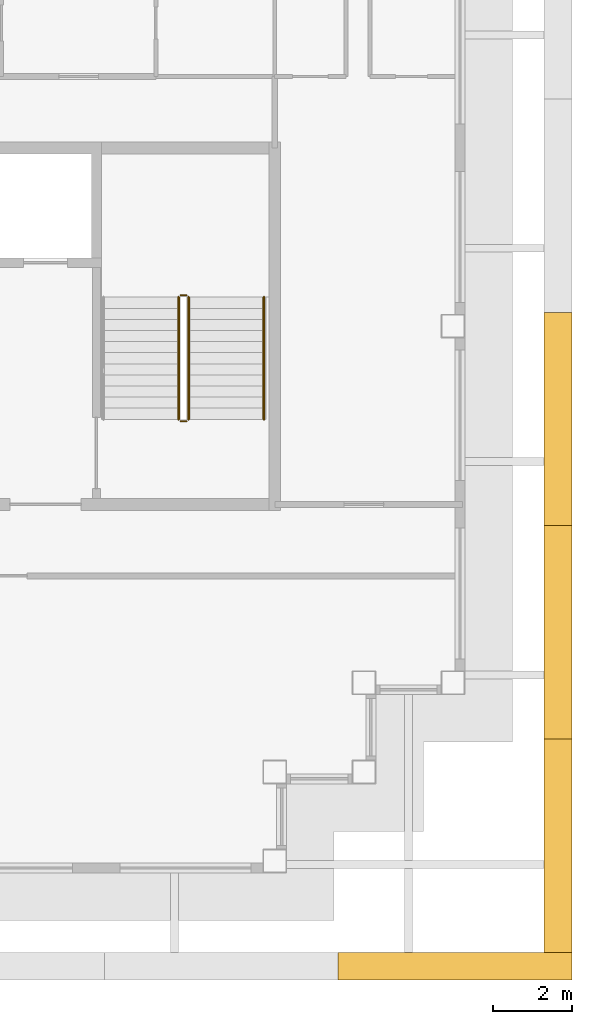
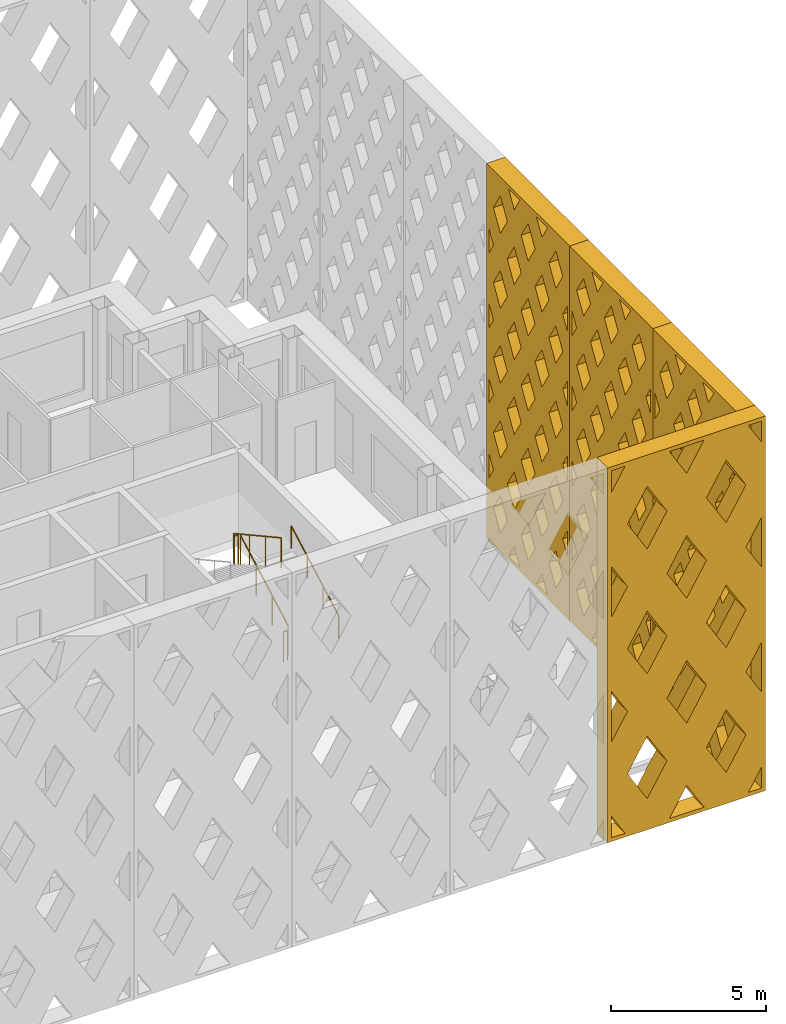
# One storey, part 13 of 15: 5 railings, 4 shading devices.
"""IFC4 building model written with IfcOpenShell, lengths in metres."""

from ifc_helpers import new_model, si_unit, direction, frame, origin, origin_2d, place, context, subcontext, project, spatial, polyline, circle, outline, extrude, material, type_object, element, save


model = new_model("IFC4")

# Units and contexts
model_context = context("Model", 3, precision=1e-05, world=origin(), true_north=direction((0.0, 1.0)))
body_context = subcontext(model_context, "Body", "Model", "MODEL_VIEW")
ifc_project = project(units=[si_unit("LENGTHUNIT", "METRE"), si_unit("AREAUNIT", "SQUARE_METRE"), si_unit("VOLUMEUNIT", "CUBIC_METRE"), si_unit("PLANEANGLEUNIT", "RADIAN"), si_unit("MASSUNIT", "GRAM", prefix="KILO")], contexts=[model_context])

# Site, building, storey
site_placement = place(None, origin())
site = spatial("IfcSite", under=ifc_project, at=site_placement, CompositionType="ELEMENT")
building_placement = place(site_placement, origin())
building = spatial("IfcBuilding", under=site, at=building_placement, Name="Caravel Reach Hotel and Residences", CompositionType="ELEMENT")
storey_placement = place(building_placement, frame((0.0, 0.0, 237.89990234375)))
storey = spatial("IfcBuildingStorey", under=building, at=storey_placement, Name="L60", CompositionType="ELEMENT", Elevation=237.89990234375)

# Shading devices
ifc_material_1 = material(Name="Black powder-coated aluminium", Category="aluminium")
shading_device_type_1 = type_object("IfcShadingDeviceType", Name="Diamond lattice screen panel 5383 x 14800", PredefinedType="USERDEFINED", material=ifc_material_1)
shading_device_1_placement = place(storey_placement, frame((51.800048828125, 11.199951171875, 0.0), z_axis=(1.0, 0.0, 0.0), x_axis=(0.0, 1.0, 0.0)))
element("IfcShadingDevice", 1, at=shading_device_1_placement, inside=storey, type_object=shading_device_type_1, Name="Lattice screen L60-L63 4.1", ObjectType="SCREEN", PredefinedType="USERDEFINED", context=body_context, shape_type="SweptSolid", body=[
    extrude(outline(polyline([(0.0, 0.0), (5.38330078125, 0.0), (5.38330078125, 14.800048828125), (0.0, 14.800048828125), (0.0, 0.0)]), holes=[polyline([(0.451416015625, 2.9599609375), (0.14990234375, 3.457275390625), (0.14990234375, 2.462646484375), (0.451416015625, 2.9599609375)]), polyline([(0.451416015625, 5.919921875), (0.14990234375, 6.41748046875), (0.14990234375, 5.422607421875), (0.451416015625, 5.919921875)]), polyline([(0.451416015625, 8.8798828125), (0.14990234375, 9.37744140625), (0.14990234375, 8.382568359375), (0.451416015625, 8.8798828125)]), polyline([(0.451416015625, 11.840087890625), (0.14990234375, 12.33740234375), (0.14990234375, 11.342529296875), (0.451416015625, 11.840087890625)]), polyline([(0.897216796875, 2.224853515625), (0.44580078125, 1.47998046875), (0.897216796875, 0.735107421875), (1.348876953125, 1.47998046875), (0.897216796875, 2.224853515625)]), polyline([(0.897216796875, 5.184814453125), (0.44580078125, 4.43994140625), (0.897216796875, 3.695068359375), (1.348876953125, 4.43994140625), (0.897216796875, 5.184814453125)]), polyline([(0.897216796875, 8.144775390625), (0.44580078125, 7.39990234375), (0.897216796875, 6.6552734375), (1.348876953125, 7.39990234375), (0.897216796875, 8.144775390625)]), polyline([(0.897216796875, 11.104736328125), (0.44580078125, 10.360107421875), (0.897216796875, 9.615234375), (1.348876953125, 10.360107421875), (0.897216796875, 11.104736328125)]), polyline([(0.897216796875, 14.06494140625), (0.44580078125, 13.320068359375), (0.897216796875, 12.5751953125), (1.348876953125, 13.320068359375), (0.897216796875, 14.06494140625)]), polyline([(1.79443359375, 0.744873046875), (1.433837890625, 0.14990234375), (2.155029296875, 0.14990234375), (1.79443359375, 0.744873046875)]), polyline([(1.79443359375, 3.704833984375), (1.343017578125, 2.9599609375), (1.79443359375, 2.215087890625), (2.24609375, 2.9599609375), (1.79443359375, 3.704833984375)]), polyline([(1.79443359375, 6.664794921875), (1.343017578125, 5.919921875), (1.79443359375, 5.17529296875), (2.24609375, 5.919921875), (1.79443359375, 6.664794921875)]), polyline([(1.79443359375, 9.624755859375), (1.343017578125, 8.8798828125), (1.79443359375, 8.13525390625), (2.24609375, 8.8798828125), (1.79443359375, 9.624755859375)]), polyline([(1.79443359375, 12.584716796875), (1.343017578125, 11.840087890625), (1.79443359375, 11.09521484375), (2.24609375, 11.840087890625), (1.79443359375, 12.584716796875)]), polyline([(1.79443359375, 14.05517578125), (2.155029296875, 14.64990234375), (1.433837890625, 14.64990234375), (1.79443359375, 14.05517578125)]), polyline([(2.691650390625, 2.224853515625), (2.240234375, 1.47998046875), (2.691650390625, 0.735107421875), (3.143310546875, 1.47998046875), (2.691650390625, 2.224853515625)]), polyline([(2.691650390625, 5.184814453125), (2.240234375, 4.43994140625), (2.691650390625, 3.695068359375), (3.143310546875, 4.43994140625), (2.691650390625, 5.184814453125)]), polyline([(2.691650390625, 8.144775390625), (2.240234375, 7.39990234375), (2.691650390625, 6.6552734375), (3.143310546875, 7.39990234375), (2.691650390625, 8.144775390625)]), polyline([(2.691650390625, 11.104736328125), (2.240234375, 10.360107421875), (2.691650390625, 9.615234375), (3.143310546875, 10.360107421875), (2.691650390625, 11.104736328125)]), polyline([(2.691650390625, 14.06494140625), (2.240234375, 13.320068359375), (2.691650390625, 12.5751953125), (3.143310546875, 13.320068359375), (2.691650390625, 14.06494140625)]), polyline([(3.5888671875, 0.744873046875), (3.228271484375, 0.14990234375), (3.949462890625, 0.14990234375), (3.5888671875, 0.744873046875)]), polyline([(3.5888671875, 3.704833984375), (3.137451171875, 2.9599609375), (3.5888671875, 2.215087890625), (4.04052734375, 2.9599609375), (3.5888671875, 3.704833984375)]), polyline([(3.5888671875, 6.664794921875), (3.137451171875, 5.919921875), (3.5888671875, 5.17529296875), (4.04052734375, 5.919921875), (3.5888671875, 6.664794921875)]), polyline([(3.5888671875, 9.624755859375), (3.137451171875, 8.8798828125), (3.5888671875, 8.13525390625), (4.04052734375, 8.8798828125), (3.5888671875, 9.624755859375)]), polyline([(3.5888671875, 12.584716796875), (3.137451171875, 11.840087890625), (3.5888671875, 11.09521484375), (4.04052734375, 11.840087890625), (3.5888671875, 12.584716796875)]), polyline([(3.5888671875, 14.05517578125), (3.949462890625, 14.64990234375), (3.228271484375, 14.64990234375), (3.5888671875, 14.05517578125)]), polyline([(4.486083984375, 2.224853515625), (4.03466796875, 1.47998046875), (4.486083984375, 0.735107421875), (4.937744140625, 1.47998046875), (4.486083984375, 2.224853515625)]), polyline([(4.486083984375, 5.184814453125), (4.03466796875, 4.43994140625), (4.486083984375, 3.695068359375), (4.937744140625, 4.43994140625), (4.486083984375, 5.184814453125)]), polyline([(4.486083984375, 8.144775390625), (4.03466796875, 7.39990234375), (4.486083984375, 6.6552734375), (4.937744140625, 7.39990234375), (4.486083984375, 8.144775390625)]), polyline([(4.486083984375, 11.104736328125), (4.03466796875, 10.360107421875), (4.486083984375, 9.615234375), (4.937744140625, 10.360107421875), (4.486083984375, 11.104736328125)]), polyline([(4.486083984375, 14.06494140625), (4.03466796875, 13.320068359375), (4.486083984375, 12.5751953125), (4.937744140625, 13.320068359375), (4.486083984375, 14.06494140625)]), polyline([(4.931884765625, 2.9599609375), (5.2333984375, 2.462646484375), (5.2333984375, 3.457275390625), (4.931884765625, 2.9599609375)]), polyline([(4.931884765625, 5.919921875), (5.2333984375, 5.422607421875), (5.2333984375, 6.41748046875), (4.931884765625, 5.919921875)]), polyline([(4.931884765625, 8.8798828125), (5.2333984375, 8.382568359375), (5.2333984375, 9.37744140625), (4.931884765625, 8.8798828125)]), polyline([(4.931884765625, 11.840087890625), (5.2333984375, 11.342529296875), (5.2333984375, 12.33740234375), (4.931884765625, 11.840087890625)])]), origin(), (0.0, 0.0, 1.0), 0.699951171875),
])
shading_device_2_placement = place(storey_placement, frame((51.800048828125, 16.583251953125, 0.0), z_axis=(1.0, 0.0, 0.0), x_axis=(0.0, 1.0, 0.0)))
element("IfcShadingDevice", 2, at=shading_device_2_placement, inside=storey, type_object=shading_device_type_1, Name="Lattice screen L60-L63 4.2", ObjectType="SCREEN", PredefinedType="USERDEFINED", context=body_context, shape_type="SweptSolid", body=[
    extrude(outline(polyline([(0.0, 0.0), (5.38330078125, 0.0), (5.38330078125, 14.800048828125), (0.0, 14.800048828125), (0.0, 0.0)]), holes=[polyline([(0.451416015625, 2.9599609375), (0.14990234375, 3.457275390625), (0.14990234375, 2.462646484375), (0.451416015625, 2.9599609375)]), polyline([(0.451416015625, 5.919921875), (0.14990234375, 6.41748046875), (0.14990234375, 5.422607421875), (0.451416015625, 5.919921875)]), polyline([(0.451416015625, 8.8798828125), (0.14990234375, 9.37744140625), (0.14990234375, 8.382568359375), (0.451416015625, 8.8798828125)]), polyline([(0.451416015625, 11.840087890625), (0.14990234375, 12.33740234375), (0.14990234375, 11.342529296875), (0.451416015625, 11.840087890625)]), polyline([(0.897216796875, 2.224853515625), (0.44580078125, 1.47998046875), (0.897216796875, 0.735107421875), (1.348876953125, 1.47998046875), (0.897216796875, 2.224853515625)]), polyline([(0.897216796875, 5.184814453125), (0.44580078125, 4.43994140625), (0.897216796875, 3.695068359375), (1.348876953125, 4.43994140625), (0.897216796875, 5.184814453125)]), polyline([(0.897216796875, 8.144775390625), (0.44580078125, 7.39990234375), (0.897216796875, 6.6552734375), (1.348876953125, 7.39990234375), (0.897216796875, 8.144775390625)]), polyline([(0.897216796875, 11.104736328125), (0.44580078125, 10.360107421875), (0.897216796875, 9.615234375), (1.348876953125, 10.360107421875), (0.897216796875, 11.104736328125)]), polyline([(0.897216796875, 14.06494140625), (0.44580078125, 13.320068359375), (0.897216796875, 12.5751953125), (1.348876953125, 13.320068359375), (0.897216796875, 14.06494140625)]), polyline([(1.79443359375, 0.744873046875), (1.433837890625, 0.14990234375), (2.155029296875, 0.14990234375), (1.79443359375, 0.744873046875)]), polyline([(1.79443359375, 3.704833984375), (1.343017578125, 2.9599609375), (1.79443359375, 2.215087890625), (2.24609375, 2.9599609375), (1.79443359375, 3.704833984375)]), polyline([(1.79443359375, 6.664794921875), (1.343017578125, 5.919921875), (1.79443359375, 5.17529296875), (2.24609375, 5.919921875), (1.79443359375, 6.664794921875)]), polyline([(1.79443359375, 9.624755859375), (1.343017578125, 8.8798828125), (1.79443359375, 8.13525390625), (2.24609375, 8.8798828125), (1.79443359375, 9.624755859375)]), polyline([(1.79443359375, 12.584716796875), (1.343017578125, 11.840087890625), (1.79443359375, 11.09521484375), (2.24609375, 11.840087890625), (1.79443359375, 12.584716796875)]), polyline([(1.79443359375, 14.05517578125), (2.155029296875, 14.64990234375), (1.433837890625, 14.64990234375), (1.79443359375, 14.05517578125)]), polyline([(2.691650390625, 2.224853515625), (2.240234375, 1.47998046875), (2.691650390625, 0.735107421875), (3.143310546875, 1.47998046875), (2.691650390625, 2.224853515625)]), polyline([(2.691650390625, 5.184814453125), (2.240234375, 4.43994140625), (2.691650390625, 3.695068359375), (3.143310546875, 4.43994140625), (2.691650390625, 5.184814453125)]), polyline([(2.691650390625, 8.144775390625), (2.240234375, 7.39990234375), (2.691650390625, 6.6552734375), (3.143310546875, 7.39990234375), (2.691650390625, 8.144775390625)]), polyline([(2.691650390625, 11.104736328125), (2.240234375, 10.360107421875), (2.691650390625, 9.615234375), (3.143310546875, 10.360107421875), (2.691650390625, 11.104736328125)]), polyline([(2.691650390625, 14.06494140625), (2.240234375, 13.320068359375), (2.691650390625, 12.5751953125), (3.143310546875, 13.320068359375), (2.691650390625, 14.06494140625)]), polyline([(3.5888671875, 0.744873046875), (3.228271484375, 0.14990234375), (3.949462890625, 0.14990234375), (3.5888671875, 0.744873046875)]), polyline([(3.5888671875, 3.704833984375), (3.137451171875, 2.9599609375), (3.5888671875, 2.215087890625), (4.04052734375, 2.9599609375), (3.5888671875, 3.704833984375)]), polyline([(3.5888671875, 6.664794921875), (3.137451171875, 5.919921875), (3.5888671875, 5.17529296875), (4.04052734375, 5.919921875), (3.5888671875, 6.664794921875)]), polyline([(3.5888671875, 9.624755859375), (3.137451171875, 8.8798828125), (3.5888671875, 8.13525390625), (4.04052734375, 8.8798828125), (3.5888671875, 9.624755859375)]), polyline([(3.5888671875, 12.584716796875), (3.137451171875, 11.840087890625), (3.5888671875, 11.09521484375), (4.04052734375, 11.840087890625), (3.5888671875, 12.584716796875)]), polyline([(3.5888671875, 14.05517578125), (3.949462890625, 14.64990234375), (3.228271484375, 14.64990234375), (3.5888671875, 14.05517578125)]), polyline([(4.486083984375, 2.224853515625), (4.03466796875, 1.47998046875), (4.486083984375, 0.735107421875), (4.937744140625, 1.47998046875), (4.486083984375, 2.224853515625)]), polyline([(4.486083984375, 5.184814453125), (4.03466796875, 4.43994140625), (4.486083984375, 3.695068359375), (4.937744140625, 4.43994140625), (4.486083984375, 5.184814453125)]), polyline([(4.486083984375, 8.144775390625), (4.03466796875, 7.39990234375), (4.486083984375, 6.6552734375), (4.937744140625, 7.39990234375), (4.486083984375, 8.144775390625)]), polyline([(4.486083984375, 11.104736328125), (4.03466796875, 10.360107421875), (4.486083984375, 9.615234375), (4.937744140625, 10.360107421875), (4.486083984375, 11.104736328125)]), polyline([(4.486083984375, 14.06494140625), (4.03466796875, 13.320068359375), (4.486083984375, 12.5751953125), (4.937744140625, 13.320068359375), (4.486083984375, 14.06494140625)]), polyline([(4.931884765625, 2.9599609375), (5.2333984375, 2.462646484375), (5.2333984375, 3.457275390625), (4.931884765625, 2.9599609375)]), polyline([(4.931884765625, 5.919921875), (5.2333984375, 5.422607421875), (5.2333984375, 6.41748046875), (4.931884765625, 5.919921875)]), polyline([(4.931884765625, 8.8798828125), (5.2333984375, 8.382568359375), (5.2333984375, 9.37744140625), (4.931884765625, 8.8798828125)]), polyline([(4.931884765625, 11.840087890625), (5.2333984375, 11.342529296875), (5.2333984375, 12.33740234375), (4.931884765625, 11.840087890625)])]), origin(), (0.0, 0.0, 1.0), 0.699951171875),
])
shading_device_3_placement = place(storey_placement, frame((51.800048828125, 21.966552734375, 0.0), z_axis=(1.0, 0.0, 0.0), x_axis=(0.0, 1.0, 0.0)))
element("IfcShadingDevice", 3, at=shading_device_3_placement, inside=storey, type_object=shading_device_type_1, Name="Lattice screen L60-L63 4.3", ObjectType="SCREEN", PredefinedType="USERDEFINED", context=body_context, shape_type="SweptSolid", body=[
    extrude(outline(polyline([(0.0, 0.0), (5.38330078125, 0.0), (5.38330078125, 14.800048828125), (0.0, 14.800048828125), (0.0, 0.0)]), holes=[polyline([(0.451416015625, 2.9599609375), (0.14990234375, 3.457275390625), (0.14990234375, 2.462646484375), (0.451416015625, 2.9599609375)]), polyline([(0.451416015625, 5.919921875), (0.14990234375, 6.41748046875), (0.14990234375, 5.422607421875), (0.451416015625, 5.919921875)]), polyline([(0.451416015625, 8.8798828125), (0.14990234375, 9.37744140625), (0.14990234375, 8.382568359375), (0.451416015625, 8.8798828125)]), polyline([(0.451416015625, 11.840087890625), (0.14990234375, 12.33740234375), (0.14990234375, 11.342529296875), (0.451416015625, 11.840087890625)]), polyline([(0.897216796875, 2.224853515625), (0.44580078125, 1.47998046875), (0.897216796875, 0.735107421875), (1.348876953125, 1.47998046875), (0.897216796875, 2.224853515625)]), polyline([(0.897216796875, 5.184814453125), (0.44580078125, 4.43994140625), (0.897216796875, 3.695068359375), (1.348876953125, 4.43994140625), (0.897216796875, 5.184814453125)]), polyline([(0.897216796875, 8.144775390625), (0.44580078125, 7.39990234375), (0.897216796875, 6.6552734375), (1.348876953125, 7.39990234375), (0.897216796875, 8.144775390625)]), polyline([(0.897216796875, 11.104736328125), (0.44580078125, 10.360107421875), (0.897216796875, 9.615234375), (1.348876953125, 10.360107421875), (0.897216796875, 11.104736328125)]), polyline([(0.897216796875, 14.06494140625), (0.44580078125, 13.320068359375), (0.897216796875, 12.5751953125), (1.348876953125, 13.320068359375), (0.897216796875, 14.06494140625)]), polyline([(1.79443359375, 0.744873046875), (1.433837890625, 0.14990234375), (2.155029296875, 0.14990234375), (1.79443359375, 0.744873046875)]), polyline([(1.79443359375, 3.704833984375), (1.343017578125, 2.9599609375), (1.79443359375, 2.215087890625), (2.24609375, 2.9599609375), (1.79443359375, 3.704833984375)]), polyline([(1.79443359375, 6.664794921875), (1.343017578125, 5.919921875), (1.79443359375, 5.17529296875), (2.24609375, 5.919921875), (1.79443359375, 6.664794921875)]), polyline([(1.79443359375, 9.624755859375), (1.343017578125, 8.8798828125), (1.79443359375, 8.13525390625), (2.24609375, 8.8798828125), (1.79443359375, 9.624755859375)]), polyline([(1.79443359375, 12.584716796875), (1.343017578125, 11.840087890625), (1.79443359375, 11.09521484375), (2.24609375, 11.840087890625), (1.79443359375, 12.584716796875)]), polyline([(1.79443359375, 14.05517578125), (2.155029296875, 14.64990234375), (1.433837890625, 14.64990234375), (1.79443359375, 14.05517578125)]), polyline([(2.691650390625, 2.224853515625), (2.240234375, 1.47998046875), (2.691650390625, 0.735107421875), (3.143310546875, 1.47998046875), (2.691650390625, 2.224853515625)]), polyline([(2.691650390625, 5.184814453125), (2.240234375, 4.43994140625), (2.691650390625, 3.695068359375), (3.143310546875, 4.43994140625), (2.691650390625, 5.184814453125)]), polyline([(2.691650390625, 8.144775390625), (2.240234375, 7.39990234375), (2.691650390625, 6.6552734375), (3.143310546875, 7.39990234375), (2.691650390625, 8.144775390625)]), polyline([(2.691650390625, 11.104736328125), (2.240234375, 10.360107421875), (2.691650390625, 9.615234375), (3.143310546875, 10.360107421875), (2.691650390625, 11.104736328125)]), polyline([(2.691650390625, 14.06494140625), (2.240234375, 13.320068359375), (2.691650390625, 12.5751953125), (3.143310546875, 13.320068359375), (2.691650390625, 14.06494140625)]), polyline([(3.5888671875, 0.744873046875), (3.228271484375, 0.14990234375), (3.949462890625, 0.14990234375), (3.5888671875, 0.744873046875)]), polyline([(3.5888671875, 3.704833984375), (3.137451171875, 2.9599609375), (3.5888671875, 2.215087890625), (4.04052734375, 2.9599609375), (3.5888671875, 3.704833984375)]), polyline([(3.5888671875, 6.664794921875), (3.137451171875, 5.919921875), (3.5888671875, 5.17529296875), (4.04052734375, 5.919921875), (3.5888671875, 6.664794921875)]), polyline([(3.5888671875, 9.624755859375), (3.137451171875, 8.8798828125), (3.5888671875, 8.13525390625), (4.04052734375, 8.8798828125), (3.5888671875, 9.624755859375)]), polyline([(3.5888671875, 12.584716796875), (3.137451171875, 11.840087890625), (3.5888671875, 11.09521484375), (4.04052734375, 11.840087890625), (3.5888671875, 12.584716796875)]), polyline([(3.5888671875, 14.05517578125), (3.949462890625, 14.64990234375), (3.228271484375, 14.64990234375), (3.5888671875, 14.05517578125)]), polyline([(4.486083984375, 2.224853515625), (4.03466796875, 1.47998046875), (4.486083984375, 0.735107421875), (4.937744140625, 1.47998046875), (4.486083984375, 2.224853515625)]), polyline([(4.486083984375, 5.184814453125), (4.03466796875, 4.43994140625), (4.486083984375, 3.695068359375), (4.937744140625, 4.43994140625), (4.486083984375, 5.184814453125)]), polyline([(4.486083984375, 8.144775390625), (4.03466796875, 7.39990234375), (4.486083984375, 6.6552734375), (4.937744140625, 7.39990234375), (4.486083984375, 8.144775390625)]), polyline([(4.486083984375, 11.104736328125), (4.03466796875, 10.360107421875), (4.486083984375, 9.615234375), (4.937744140625, 10.360107421875), (4.486083984375, 11.104736328125)]), polyline([(4.486083984375, 14.06494140625), (4.03466796875, 13.320068359375), (4.486083984375, 12.5751953125), (4.937744140625, 13.320068359375), (4.486083984375, 14.06494140625)]), polyline([(4.931884765625, 2.9599609375), (5.2333984375, 2.462646484375), (5.2333984375, 3.457275390625), (4.931884765625, 2.9599609375)]), polyline([(4.931884765625, 5.919921875), (5.2333984375, 5.422607421875), (5.2333984375, 6.41748046875), (4.931884765625, 5.919921875)]), polyline([(4.931884765625, 8.8798828125), (5.2333984375, 8.382568359375), (5.2333984375, 9.37744140625), (4.931884765625, 8.8798828125)]), polyline([(4.931884765625, 11.840087890625), (5.2333984375, 11.342529296875), (5.2333984375, 12.33740234375), (4.931884765625, 11.840087890625)])]), origin(), (0.0, 0.0, 1.0), 0.699951171875),
])
ifc_material_2 = material(Name="Black powder-coated aluminium", Category="aluminium")
shading_device_type_2 = type_object("IfcShadingDeviceType", Name="Diamond lattice screen panel 5900 x 14800", PredefinedType="USERDEFINED", material=ifc_material_2)
shading_device_4_placement = place(storey_placement, frame((46.60009765625, 11.199951171875, 0.0), z_axis=(0.0, -1.0, 0.0), x_axis=(1.0, 0.0, 0.0)))
element("IfcShadingDevice", 4, at=shading_device_4_placement, inside=storey, type_object=shading_device_type_2, Name="Lattice screen L60-L63 3.7", ObjectType="SCREEN", PredefinedType="USERDEFINED", context=body_context, shape_type="SweptSolid", body=[
    extrude(outline(polyline([(0.0, 0.0), (5.89990234375, 0.0), (5.89990234375, 14.800048828125), (0.0, 14.800048828125), (0.0, 0.0)]), holes=[polyline([(0.64990234375, 0.14990234375), (0.14990234375, 0.986083984375), (0.14990234375, 0.14990234375), (0.64990234375, 0.14990234375)]), polyline([(0.739501953125, 4.933349609375), (0.14990234375, 5.91943359375), (0.14990234375, 3.947265625), (0.739501953125, 4.933349609375)]), polyline([(0.739501953125, 9.86669921875), (0.14990234375, 10.852783203125), (0.14990234375, 8.880615234375), (0.739501953125, 9.86669921875)]), polyline([(0.14990234375, 13.81396484375), (0.64990234375, 14.64990234375), (0.14990234375, 14.64990234375), (0.14990234375, 13.81396484375)]), polyline([(1.47509765625, 3.70361328125), (0.7353515625, 2.466552734375), (1.47509765625, 1.229736328125), (2.214599609375, 2.466552734375), (1.47509765625, 3.70361328125)]), polyline([(1.47509765625, 8.636962890625), (0.7353515625, 7.39990234375), (1.47509765625, 6.1630859375), (2.214599609375, 7.39990234375), (1.47509765625, 8.636962890625)]), polyline([(1.47509765625, 13.570068359375), (0.7353515625, 12.333251953125), (1.47509765625, 11.096435546875), (2.214599609375, 12.333251953125), (1.47509765625, 13.570068359375)]), polyline([(2.949951171875, 1.23681640625), (2.300048828125, 0.14990234375), (3.599853515625, 0.14990234375), (2.949951171875, 1.23681640625)]), polyline([(2.949951171875, 6.170166015625), (2.21044921875, 4.933349609375), (2.949951171875, 3.696533203125), (3.689697265625, 4.933349609375), (2.949951171875, 6.170166015625)]), polyline([(2.949951171875, 11.103515625), (2.21044921875, 9.86669921875), (2.949951171875, 8.6298828125), (3.689697265625, 9.86669921875), (2.949951171875, 11.103515625)]), polyline([(2.949951171875, 13.563232421875), (3.599853515625, 14.64990234375), (2.300048828125, 14.64990234375), (2.949951171875, 13.563232421875)]), polyline([(4.425048828125, 3.70361328125), (3.685302734375, 2.466552734375), (4.425048828125, 1.229736328125), (5.16455078125, 2.466552734375), (4.425048828125, 3.70361328125)]), polyline([(4.425048828125, 8.636962890625), (3.685302734375, 7.39990234375), (4.425048828125, 6.1630859375), (5.16455078125, 7.39990234375), (4.425048828125, 8.636962890625)]), polyline([(4.425048828125, 13.570068359375), (3.685302734375, 12.333251953125), (4.425048828125, 11.096435546875), (5.16455078125, 12.333251953125), (4.425048828125, 13.570068359375)]), polyline([(5.75, 0.986083984375), (5.25, 0.14990234375), (5.75, 0.14990234375), (5.75, 0.986083984375)]), polyline([(5.160400390625, 4.933349609375), (5.75, 3.947265625), (5.75, 5.91943359375), (5.160400390625, 4.933349609375)]), polyline([(5.160400390625, 9.86669921875), (5.75, 8.880615234375), (5.75, 10.852783203125), (5.160400390625, 9.86669921875)]), polyline([(5.25, 14.64990234375), (5.75, 13.81396484375), (5.75, 14.64990234375), (5.25, 14.64990234375)])]), origin(), (0.0, 0.0, 1.0), 0.699951171875),
])

# Railings
ifc_material_3 = material(Name="Steel balustrade with glass infill", Category="steel")
railing_type_1 = type_object("IfcRailingType", Name="Guard 1200", PredefinedType="GUARDRAIL", material=ifc_material_3)
railing_1_placement = place(storey_placement, frame((42.824951171875, 24.64990234375, 0.154296875)))
element("IfcRailing", 5, at=railing_1_placement, inside=storey, type_object=railing_type_1, Name="L60 ST-B stair guard 1", PredefinedType="GUARDRAIL", context=body_context, shape_type="SweptSolid", body=[
    extrude(circle(Radius=0.02392578125, at=origin_2d()), frame((0.0, 0.0, 1.17578125), z_axis=(0.0, 0.876004717809, 0.482302534076), x_axis=(-1.0, 0.0, 0.0)), (0.0, 0.0, 1.0), 3.51611328125),
    extrude(circle(Radius=0.02099609375, at=origin_2d()), origin(), (0.0, 0.0, 1.0), 1.15185546875),
    extrude(circle(Radius=0.02099609375, at=origin_2d()), frame((0.0, 1.026611328125, 0.565185546875)), (0.0, 0.0, 1.0), 1.15185546875),
    extrude(circle(Radius=0.02099609375, at=origin_2d()), frame((0.0, 2.053466796875, 1.130615234375)), (0.0, 0.0, 1.0), 1.15185546875),
    extrude(circle(Radius=0.02099609375, at=origin_2d()), frame((0.0, 3.080078125, 1.69580078125)), (0.0, 0.0, 1.0), 1.15185546875),
])
railing_2_placement = place(storey_placement, frame((42.77490234375, 27.780029296875, 1.85009765625)))
element("IfcRailing", 6, at=railing_2_placement, inside=storey, type_object=railing_type_1, Name="L60 ST-B stair guard 2", PredefinedType="GUARDRAIL", context=body_context, shape_type="SweptSolid", body=[
    extrude(circle(Radius=0.02392578125, at=origin_2d()), frame((0.0, 0.0, 1.17578125), z_axis=(-1.0, 0.0, 0.0), x_axis=(0.0, -1.0, 0.0)), (0.0, 0.0, 1.0), 0.14990234375),
    extrude(circle(Radius=0.02099609375, at=origin_2d()), origin(), (0.0, 0.0, 1.0), 1.15185546875),
    extrude(circle(Radius=0.02099609375, at=origin_2d()), frame((-0.14990234375, 0.0, 0.0)), (0.0, 0.0, 1.0), 1.15185546875),
])
railing_3_placement = place(storey_placement, frame((42.574951171875, 27.72998046875, 2.004150390625)))
element("IfcRailing", 7, at=railing_3_placement, inside=storey, type_object=railing_type_1, Name="L60 ST-B stair guard 3", PredefinedType="GUARDRAIL", context=body_context, shape_type="SweptSolid", body=[
    extrude(circle(Radius=0.02392578125, at=origin_2d()), frame((0.0, 0.0, 1.17578125), z_axis=(0.0, -0.875975380505, 0.482355815502), x_axis=(1.0, 0.0, 0.0)), (0.0, 0.0, 1.0), 3.51611328125),
    extrude(circle(Radius=0.02099609375, at=origin_2d()), origin(), (0.0, 0.0, 1.0), 1.15185546875),
    extrude(circle(Radius=0.02099609375, at=origin_2d()), frame((0.0, -1.026611328125, 0.5654296875)), (0.0, 0.0, 1.0), 1.15185546875),
    extrude(circle(Radius=0.02099609375, at=origin_2d()), frame((0.0, -2.053466796875, 1.130615234375)), (0.0, 0.0, 1.0), 1.15185546875),
    extrude(circle(Radius=0.02099609375, at=origin_2d()), frame((0.0, -3.080078125, 1.696044921875)), (0.0, 0.0, 1.0), 1.15185546875),
])
railing_4_placement = place(storey_placement, frame((42.77490234375, 24.60009765625, 0.0)))
element("IfcRailing", 8, at=railing_4_placement, inside=storey, type_object=railing_type_1, Name="L60 ST-B stair guard 4", PredefinedType="GUARDRAIL", context=body_context, shape_type="SweptSolid", body=[
    extrude(circle(Radius=0.02392578125, at=origin_2d()), frame((0.0, 0.0, 1.17578125), z_axis=(-1.0, 0.0, 0.0), x_axis=(0.0, -1.0, 0.0)), (0.0, 0.0, 1.0), 0.14990234375),
    extrude(circle(Radius=0.02099609375, at=origin_2d()), origin(), (0.0, 0.0, 1.0), 1.15185546875),
    extrude(circle(Radius=0.02099609375, at=origin_2d()), frame((-0.14990234375, 0.0, 0.0)), (0.0, 0.0, 1.0), 1.15185546875),
])
ifc_material_4 = material(Name="Stainless steel handrail", Category="steel")
railing_type_2 = type_object("IfcRailingType", Name="Handrail 900", PredefinedType="HANDRAIL", material=ifc_material_4)
railing_5_placement = place(storey_placement, frame((44.72509765625, 24.64990234375, 0.154296875)))
element("IfcRailing", 9, at=railing_5_placement, inside=storey, type_object=railing_type_2, Name="L60 ST-B stair handrail 1", PredefinedType="HANDRAIL", context=body_context, shape_type="SweptSolid", body=[
    extrude(circle(Radius=0.02392578125, at=origin_2d()), frame((0.0, 0.0, 0.8759765625), z_axis=(0.0, 0.876004717809, 0.482302534076), x_axis=(-1.0, 0.0, 0.0)), (0.0, 0.0, 1.0), 3.51611328125),
    extrude(circle(Radius=0.02099609375, at=origin_2d()), origin(), (0.0, 0.0, 1.0), 0.851806640625),
    extrude(circle(Radius=0.02099609375, at=origin_2d()), frame((0.0, 1.026611328125, 0.565185546875)), (0.0, 0.0, 1.0), 0.851806640625),
    extrude(circle(Radius=0.02099609375, at=origin_2d()), frame((0.0, 2.053466796875, 1.130615234375)), (0.0, 0.0, 1.0), 0.851806640625),
    extrude(circle(Radius=0.02099609375, at=origin_2d()), frame((0.0, 3.080078125, 1.69580078125)), (0.0, 0.0, 1.0), 0.851806640625),
])

save(model, "model.ifc")
